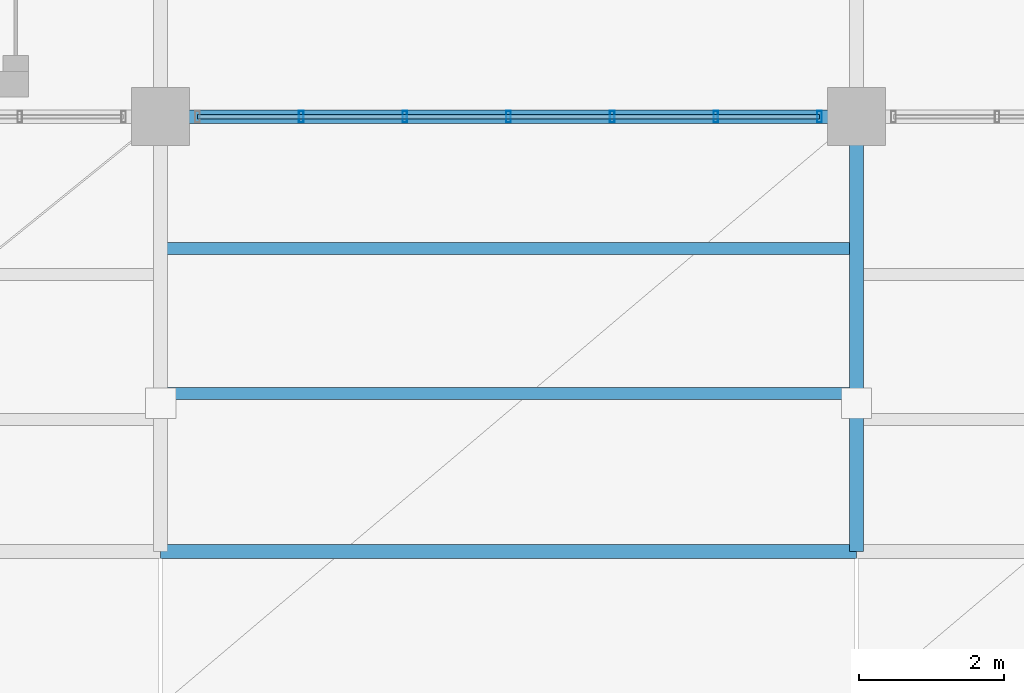
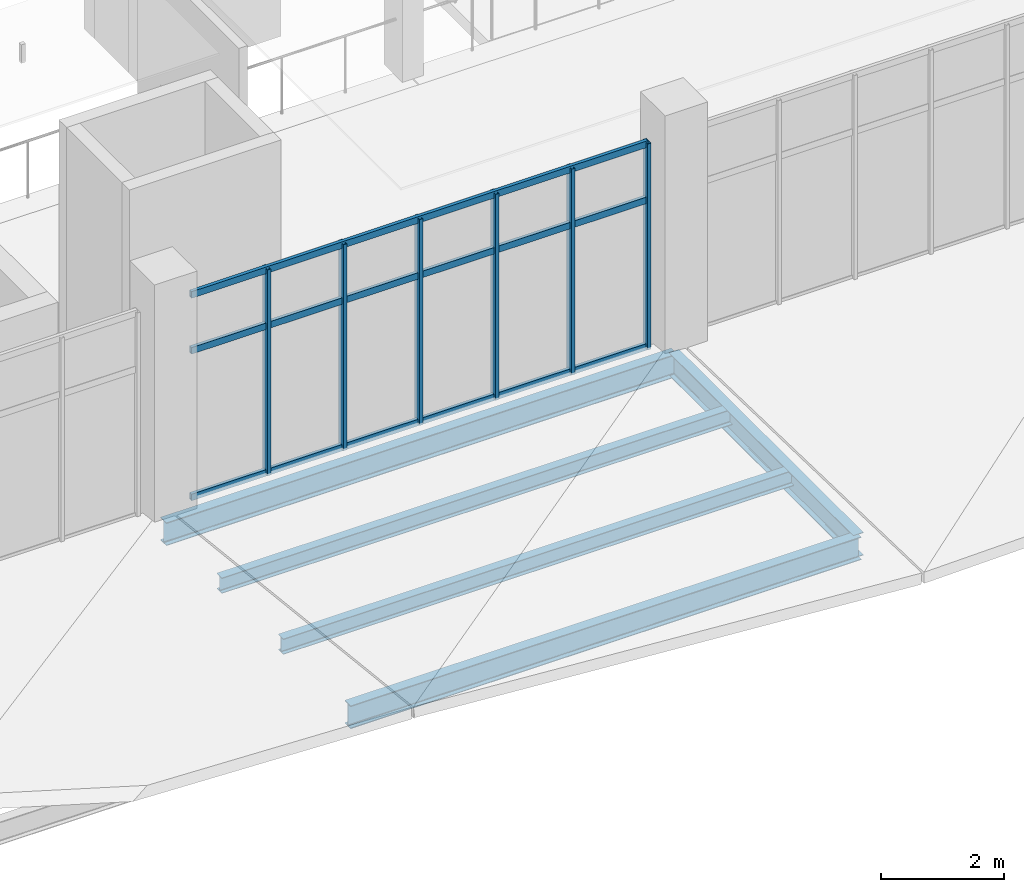
# One storey, part 46 of 157: 9 members, 5 beams, 1 element without a shape of its own.
"""IFC4 building model written with IfcOpenShell, lengths in metres."""

from ifc_helpers import new_model, si_unit, direction, frame, origin, origin_2d, place, context, subcontext, project, spatial, hollow_rectangle, i_section, extrude, material, layer, layer_set, material_profile, profile_set, type_object, element, aggregate, save


model = new_model("IFC4")

# Units and contexts
model_context = context("Model", 3, precision=1e-05, world=origin(), true_north=direction((0.0, 1.0)))
body_context = subcontext(model_context, "Body", "Model", "MODEL_VIEW")
ifc_project = project(units=[si_unit("LENGTHUNIT", "METRE"), si_unit("AREAUNIT", "SQUARE_METRE"), si_unit("VOLUMEUNIT", "CUBIC_METRE"), si_unit("PLANEANGLEUNIT", "RADIAN"), si_unit("MASSUNIT", "GRAM", prefix="KILO")], contexts=[model_context])

# Site, building, storey
site_placement = place(None, origin())
site = spatial("IfcSite", under=ifc_project, at=site_placement, CompositionType="ELEMENT")
building_placement = place(site_placement, origin())
building = spatial("IfcBuilding", under=site, at=building_placement, Name="Chalmorin Arch Market", CompositionType="ELEMENT")
storey_placement = place(building_placement, frame((0.0, 0.0, 4.800048828125)))
storey = spatial("IfcBuildingStorey", under=building, at=storey_placement, Name="L01", CompositionType="ELEMENT", Elevation=4.800048828125)

# Curtain wall, members
ifc_material_1 = material(Name="Aluminium 6063-T6", Category="aluminium")
ifc_layer = layer(ifc_material_1, 0.159912109375)
ifc_layer_set = layer_set([ifc_layer], Name="Aluminium 6063-T6")
curtain_wall_type = type_object("IfcCurtainWallType", Name="MarketClerestoryCurtainWall-CW1-8580x4100", PredefinedType="NOTDEFINED", material=ifc_layer_set)
curtain_wall_placement = place(storey_placement, origin())
curtain_wall = element("IfcCurtainWall", 1, at=curtain_wall_placement, inside=storey, type_object=curtain_wall_type, Name="CW-01-004", PredefinedType="NOTDEFINED")
ifc_material_profile_1 = material_profile(ifc_material_1, hollow_rectangle(XDim=0.06494140625, YDim=0.159912109375, WallThickness=0.00390625, at=origin_2d()), Name="ALU65X160X4")
ifc_profile_set_1 = profile_set([ifc_material_profile_1], Name="Aluminium 6063-T6")
member_type_1 = type_object("IfcMemberType", Name="CurtainWallMullion-65x160", PredefinedType="MULLION", material=ifc_profile_set_1)
member_1_placement = place(storey_placement, frame((59.5400390625, 6.0, 0.0), z_axis=(0.0, 0.0, 1.0), x_axis=(1.0, 0.0, 0.0)))
member_1 = element("IfcMember", 2, at=member_1_placement, type_object=member_type_1, Name="ML-004-02", PredefinedType="MULLION", context=body_context, shape_type="SweptSolid", body=[
    extrude(hollow_rectangle(XDim=0.06494140625, YDim=0.159912109375, WallThickness=0.00390625, at=origin_2d()), origin(), (0.0, 0.0, 1.0), 4.095947265625),
])
member_2_placement = place(storey_placement, frame((60.969970703125, 6.0, 0.0), z_axis=(0.0, 0.0, 1.0), x_axis=(1.0, 0.0, 0.0)))
member_2 = element("IfcMember", 3, at=member_2_placement, type_object=member_type_1, Name="ML-004-03", PredefinedType="MULLION", context=body_context, shape_type="SweptSolid", body=[
    extrude(hollow_rectangle(XDim=0.06494140625, YDim=0.159912109375, WallThickness=0.00390625, at=origin_2d()), origin(), (0.0, 0.0, 1.0), 4.095947265625),
])
member_3_placement = place(storey_placement, frame((62.39990234375, 6.0, 0.0), z_axis=(0.0, 0.0, 1.0), x_axis=(1.0, 0.0, 0.0)))
member_3 = element("IfcMember", 4, at=member_3_placement, type_object=member_type_1, Name="ML-004-04", PredefinedType="MULLION", context=body_context, shape_type="SweptSolid", body=[
    extrude(hollow_rectangle(XDim=0.06494140625, YDim=0.159912109375, WallThickness=0.00390625, at=origin_2d()), origin(), (0.0, 0.0, 1.0), 4.095947265625),
])
member_4_placement = place(storey_placement, frame((63.830078125, 6.0, 0.0), z_axis=(0.0, 0.0, 1.0), x_axis=(1.0, 0.0, 0.0)))
member_4 = element("IfcMember", 5, at=member_4_placement, type_object=member_type_1, Name="ML-004-05", PredefinedType="MULLION", context=body_context, shape_type="SweptSolid", body=[
    extrude(hollow_rectangle(XDim=0.06494140625, YDim=0.159912109375, WallThickness=0.00390625, at=origin_2d()), origin(), (0.0, 0.0, 1.0), 4.095947265625),
])
member_5_placement = place(storey_placement, frame((65.260009765625, 6.0, 0.0), z_axis=(0.0, 0.0, 1.0), x_axis=(1.0, 0.0, 0.0)))
member_5 = element("IfcMember", 6, at=member_5_placement, type_object=member_type_1, Name="ML-004-06", PredefinedType="MULLION", context=body_context, shape_type="SweptSolid", body=[
    extrude(hollow_rectangle(XDim=0.06494140625, YDim=0.159912109375, WallThickness=0.00390625, at=origin_2d()), origin(), (0.0, 0.0, 1.0), 4.095947265625),
])
member_6_placement = place(storey_placement, frame((66.68994140625, 6.0, 0.0), z_axis=(0.0, 0.0, 1.0), x_axis=(1.0, 0.0, 0.0)))
member_6 = element("IfcMember", 7, at=member_6_placement, type_object=member_type_1, Name="ML-004-07", PredefinedType="MULLION", context=body_context, shape_type="SweptSolid", body=[
    extrude(hollow_rectangle(XDim=0.06494140625, YDim=0.159912109375, WallThickness=0.00390625, at=origin_2d()), origin(), (0.0, 0.0, 1.0), 4.095947265625),
])
ifc_material_profile_2 = material_profile(ifc_material_1, hollow_rectangle(XDim=0.06494140625, YDim=0.1298828125, WallThickness=0.00390625, at=origin_2d()), Name="ALU65X130X4")
ifc_profile_set_2 = profile_set([ifc_material_profile_2], Name="Aluminium 6063-T6")
member_type_2 = type_object("IfcMemberType", Name="CurtainWallTransom-65x130", PredefinedType="USERDEFINED", material=ifc_profile_set_2)
member_7_placement = place(storey_placement, frame((58.110107421875, 6.0, 0.034912109375), z_axis=(1.0, 0.0, 0.0), x_axis=(0.0, 1.0, 0.0)))
member_7 = element("IfcMember", 8, at=member_7_placement, type_object=member_type_2, Name="TR-004-01", ObjectType="TRANSOM", PredefinedType="USERDEFINED", context=body_context, shape_type="SweptSolid", body=[
    extrude(hollow_rectangle(XDim=0.06494140625, YDim=0.1298828125, WallThickness=0.00390625, at=origin_2d()), origin(), (0.0, 0.0, 1.0), 8.579833984375),
])
member_8_placement = place(storey_placement, frame((58.110107421875, 6.0, 2.948974609375), z_axis=(1.0, 0.0, 0.0), x_axis=(0.0, 1.0, 0.0)))
member_8 = element("IfcMember", 9, at=member_8_placement, type_object=member_type_2, Name="TR-004-02", ObjectType="TRANSOM", PredefinedType="USERDEFINED", context=body_context, shape_type="SweptSolid", body=[
    extrude(hollow_rectangle(XDim=0.06494140625, YDim=0.1298828125, WallThickness=0.00390625, at=origin_2d()), origin(), (0.0, 0.0, 1.0), 8.579833984375),
])
member_9_placement = place(storey_placement, frame((58.110107421875, 6.0, 4.06103515625), z_axis=(1.0, 0.0, 0.0), x_axis=(0.0, 1.0, 0.0)))
member_9 = element("IfcMember", 10, at=member_9_placement, type_object=member_type_2, Name="TR-004-03", ObjectType="TRANSOM", PredefinedType="USERDEFINED", context=body_context, shape_type="SweptSolid", body=[
    extrude(hollow_rectangle(XDim=0.06494140625, YDim=0.1298828125, WallThickness=0.00390625, at=origin_2d()), origin(), (0.0, 0.0, 1.0), 8.579833984375),
])
aggregate(curtain_wall, [member_1, member_2, member_3, member_4, member_5, member_6, member_7, member_8, member_9])

# Beams
ifc_material_2 = material(Name="Steel A992 Grade 50", Category="steel")
ifc_material_profile_3 = material_profile(ifc_material_2, i_section(OverallWidth=0.19091796875, OverallDepth=0.45703125, WebThickness=0.009033203125, FlangeThickness=0.014404296875, FilletRadius=0.02001953125, at=origin_2d()), Name="W18X50")
ifc_profile_set_3 = profile_set([ifc_material_profile_3], Name="Steel A992 Grade 50")
beam_type_1 = type_object("IfcBeamType", Name="FloorSteelBeam-W18X50", PredefinedType="BEAM", material=ifc_profile_set_3)
beam_placement = place(storey_placement, frame((67.199951171875, 0.0, -0.48046875), z_axis=(0.0, 1.0, 0.0), x_axis=(-1.0, 0.0, 0.0)))
element("IfcBeam", 11, at=beam_placement, inside=storey, type_object=beam_type_1, Name="BM-W18B-1039", PredefinedType="BEAM", context=body_context, shape_type="SweptSolid", body=[
    extrude(i_section(OverallWidth=0.19091796875, OverallDepth=0.45703125, WebThickness=0.009033203125, FlangeThickness=0.014404296875, FilletRadius=0.02001953125, at=origin_2d()), origin(), (0.0, 0.0, 1.0), 6.0),
])
ifc_material_profile_4 = material_profile(ifc_material_2, i_section(OverallWidth=0.19091796875, OverallDepth=0.45703125, WebThickness=0.009033203125, FlangeThickness=0.014404296875, FilletRadius=0.02001953125, at=origin_2d()), Name="W18X50")
ifc_profile_set_4 = profile_set([ifc_material_profile_4], Name="Steel A992 Grade 50")
beam_type_2 = type_object("IfcBeamType", Name="PerimeterSpandrelBeam-W18X50", PredefinedType="SPANDREL", material=ifc_profile_set_4)
for number, where, z_axis, x_axis, name in (
    (12, (57.60009765625, 6.0, -0.48046875), (1.0, 0.0, 0.0), (0.0, 1.0, 0.0), "SP-W18-0604"),
    (13, (57.60009765625, 0.0, -0.48046875), (1.0, 0.0, 0.0), (0.0, 1.0, 0.0), "SP-W18-1038"),
):
    element("IfcBeam", number, at=place(storey_placement, frame(where, z_axis=z_axis, x_axis=x_axis)), inside=storey, type_object=beam_type_2, Name=name, PredefinedType="SPANDREL", context=body_context, shape_type="SweptSolid", body=[
        extrude(i_section(OverallWidth=0.19091796875, OverallDepth=0.45703125, WebThickness=0.009033203125, FlangeThickness=0.014404296875, FilletRadius=0.02001953125, at=origin_2d()), origin(), (0.0, 0.0, 1.0), 9.599853515625),
    ])
ifc_material_profile_5 = material_profile(ifc_material_2, i_section(OverallWidth=0.1650390625, OverallDepth=0.31005859375, WebThickness=0.005859375, FlangeThickness=0.009765625, FilletRadius=0.014892578125, at=origin_2d()), Name="W12X26")
ifc_profile_set_5 = profile_set([ifc_material_profile_5], Name="Steel A992 Grade 50")
beam_type_3 = type_object("IfcBeamType", Name="SecondaryRoofJoist-W12X26", PredefinedType="JOIST", material=ifc_profile_set_5)
for number, where, z_axis, x_axis, name in (
    (14, (57.60009765625, 2.179931640625, -0.406982421875), (1.0, 0.0, 0.0), (0.0, 1.0, 0.0), "BJ-W12-1064"),
    (15, (57.60009765625, 4.179931640625, -0.406982421875), (1.0, 0.0, 0.0), (0.0, 1.0, 0.0), "BJ-W12-1065"),
):
    element("IfcBeam", number, at=place(storey_placement, frame(where, z_axis=z_axis, x_axis=x_axis)), inside=storey, type_object=beam_type_3, Name=name, PredefinedType="JOIST", context=body_context, shape_type="SweptSolid", body=[
        extrude(i_section(OverallWidth=0.1650390625, OverallDepth=0.31005859375, WebThickness=0.005859375, FlangeThickness=0.009765625, FilletRadius=0.014892578125, at=origin_2d()), origin(), (0.0, 0.0, 1.0), 9.599853515625),
    ])

save(model, "model.ifc")
